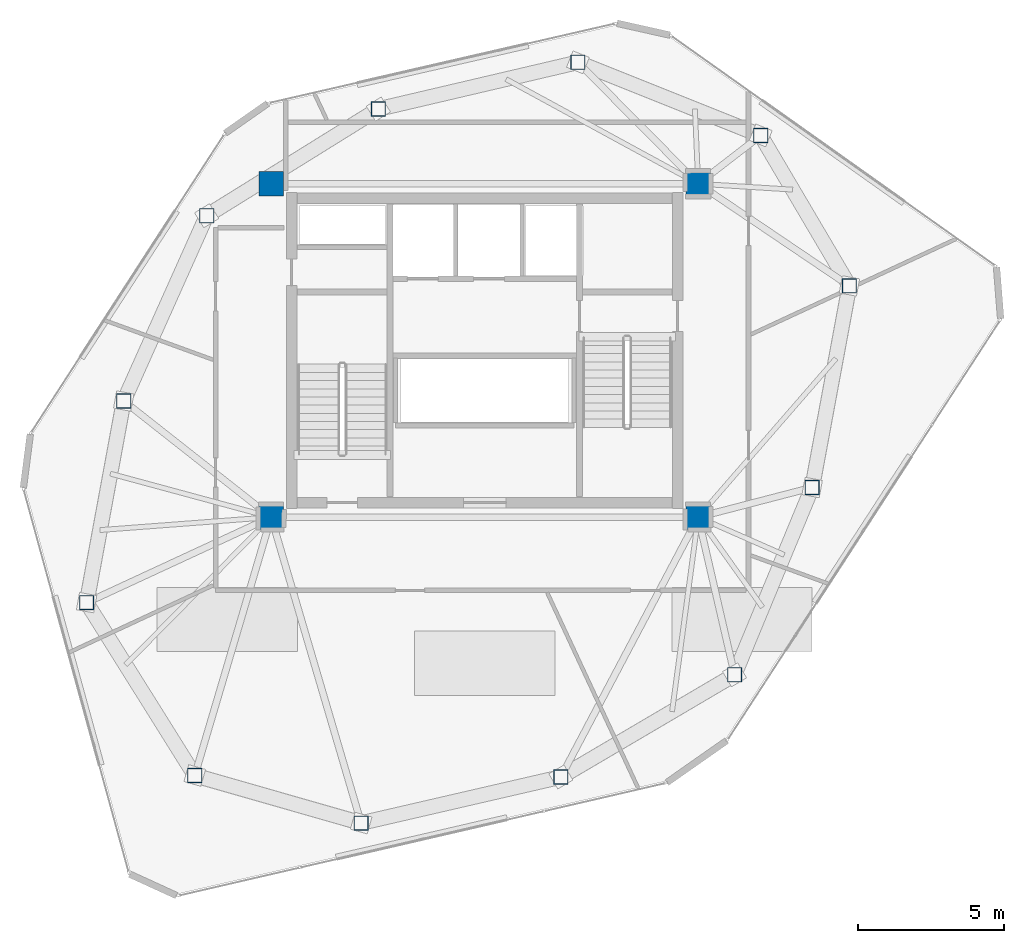
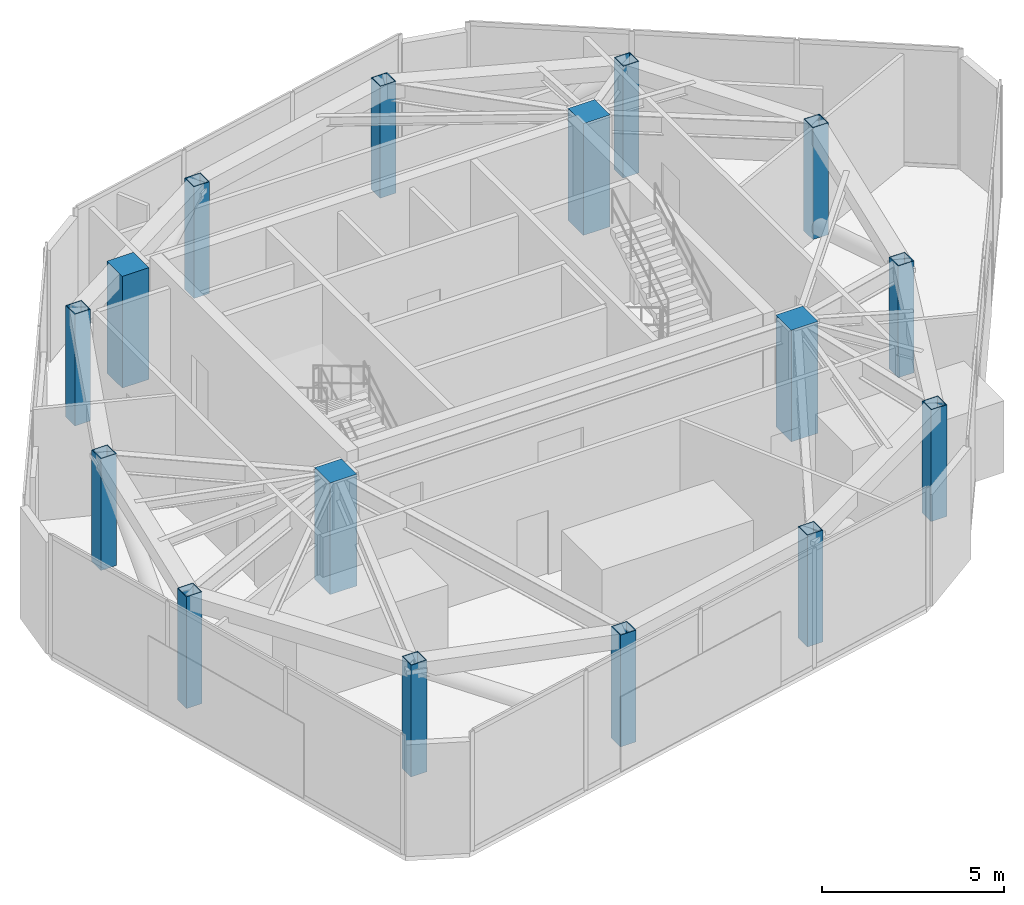
# One storey, part 1 of 21: 16 columns.
"""IFC4 building model written with IfcOpenShell, lengths in metres."""

from ifc_helpers import new_model, si_unit, direction, frame, origin, origin_2d, place, context, subcontext, project, spatial, rectangle, hollow_rectangle, extrude, material, material_profile, profile_set, type_object, element, save


model = new_model("IFC4")

# Units and contexts
model_context = context("Model", 3, precision=1e-05, world=origin(), true_north=direction((0.0, 1.0)))
body_context = subcontext(model_context, "Body", "Model", "MODEL_VIEW")
ifc_project = project(units=[si_unit("LENGTHUNIT", "METRE"), si_unit("AREAUNIT", "SQUARE_METRE"), si_unit("VOLUMEUNIT", "CUBIC_METRE"), si_unit("PLANEANGLEUNIT", "RADIAN"), si_unit("MASSUNIT", "GRAM", prefix="KILO")], contexts=[model_context])

# Site, building, storey
site_placement = place(None, origin())
site = spatial("IfcSite", under=ifc_project, at=site_placement, CompositionType="ELEMENT")
building_placement = place(site_placement, origin())
building = spatial("IfcBuilding", under=site, at=building_placement, Name="Talar Marvaseh", CompositionType="ELEMENT")
storey_placement = place(building_placement, frame((0.0, 0.0, 308.0)))
storey = spatial("IfcBuildingStorey", under=building, at=storey_placement, Name="L82", CompositionType="ELEMENT", Elevation=308.0)

# Columns
ifc_material_1 = material(Name="Steel S460", Category="steel")
ifc_material_profile_1 = material_profile(ifc_material_1, hollow_rectangle(XDim=0.5, YDim=0.5, WallThickness=0.02490234375, at=origin_2d()), Name="BOX500x500x25")
ifc_profile_set_1 = profile_set([ifc_material_profile_1], Name="Steel S460")
column_type_1 = type_object("IfcColumnType", Name="Crown Frame Structural Column BOX500x500x25", PredefinedType="COLUMN", material=ifc_profile_set_1)
for number, where, z_axis, x_axis, name in (
    (1, (12.388916015625, 22.576904296875, 0.0), (0.0, 0.0, 1.0), (1.0, 0.0, 0.0), "L82 Crown Frame Structural Column BOX500x500x25"),
    (2, (13.657958984375, 29.469970703125, 0.0), (0.0, 0.0, 1.0), (1.0, 0.0, 0.0), "L82 Crown Frame Structural Column BOX500x500x25"),
    (3, (16.493896484375, 35.806884765625, 0.0), (0.0, 0.0, 1.0), (1.0, 0.0, 0.0), "L82 Crown Frame Structural Column BOX500x500x25"),
    (4, (22.364990234375, 39.4541015625, 0.0), (0.0, 0.0, 1.0), (1.0, 0.0, 0.0), "L82 Crown Frame Structural Column BOX500x500x25"),
    (5, (29.18798828125, 41.052001953125, 0.0), (0.0, 0.0, 1.0), (1.0, 0.0, 0.0), "L82 Crown Frame Structural Column BOX500x500x25"),
    (6, (35.43798828125, 38.551025390625, 0.0), (0.0, 0.0, 1.0), (1.0, 0.0, 0.0), "L82 Crown Frame Structural Column BOX500x500x25"),
    (7, (38.470947265625, 33.406005859375, 0.0), (0.0, 0.0, 1.0), (1.0, 0.0, 0.0), "L82 Crown Frame Structural Column BOX500x500x25"),
    (8, (37.197021484375, 26.513916015625, 0.0), (0.0, 0.0, 1.0), (1.0, 0.0, 0.0), "L82 Crown Frame Structural Column BOX500x500x25"),
    (9, (34.5439453125, 20.111083984375, 0.0), (0.0, 0.0, 1.0), (1.0, 0.0, 0.0), "L82 Crown Frame Structural Column BOX500x500x25"),
    (10, (28.60498046875, 16.616943359375, 0.0), (0.0, 0.0, 1.0), (1.0, 0.0, 0.0), "L82 Crown Frame Structural Column BOX500x500x25"),
    (11, (21.77587890625, 15.0400390625, 0.0), (0.0, 0.0, 1.0), (1.0, 0.0, 0.0), "L82 Crown Frame Structural Column BOX500x500x25"),
    (12, (16.0869140625, 16.66796875, 0.0), (0.0, 0.0, 1.0), (1.0, 0.0, 0.0), "L82 Crown Frame Structural Column BOX500x500x25"),
):
    element("IfcColumn", number, at=place(storey_placement, frame(where, z_axis=z_axis, x_axis=x_axis)), inside=storey, type_object=column_type_1, Name=name, PredefinedType="COLUMN", context=body_context, shape_type="SweptSolid", body=[
        extrude(hollow_rectangle(XDim=0.5, YDim=0.5, WallThickness=0.02490234375, at=origin_2d()), origin(), (0.0, 0.0, 1.0), 3.739990234375),
    ])
ifc_material_2 = material(Name="Concrete C50/60", Category="concrete")
ifc_material_profile_2 = material_profile(ifc_material_2, rectangle(XDim=0.85009765625, YDim=0.85009765625, at=origin_2d()), Name="RC850x850")
ifc_profile_set_2 = profile_set([ifc_material_profile_2], Name="Concrete C50/60")
column_type_2 = type_object("IfcColumnType", Name="Zone 4 Tube Column RC850x850", PredefinedType="COLUMN", material=ifc_profile_set_2)
for number, where, z_axis, x_axis, name in (
    (13, (18.699951171875, 25.5, 0.0), (0.0, 0.0, 1.0), (1.0, 0.0, 0.0), "L82 Zone 4 Tube Column RC850x850"),
    (14, (33.300048828125, 25.5, 0.0), (0.0, 0.0, 1.0), (1.0, 0.0, 0.0), "L82 Zone 4 Tube Column RC850x850"),
    (15, (33.300048828125, 36.89990234375, 0.0), (0.0, 0.0, 1.0), (1.0, 0.0, 0.0), "L82 Zone 4 Tube Column RC850x850"),
    (16, (18.699951171875, 36.89990234375, 0.0), (0.0, 0.0, 1.0), (1.0, 0.0, 0.0), "L82 Zone 4 Tube Column RC850x850"),
):
    element("IfcColumn", number, at=place(storey_placement, frame(where, z_axis=z_axis, x_axis=x_axis)), inside=storey, type_object=column_type_2, Name=name, PredefinedType="COLUMN", context=body_context, shape_type="SweptSolid", body=[
        extrude(rectangle(XDim=0.85009765625, YDim=0.85009765625, at=origin_2d()), origin(), (0.0, 0.0, 1.0), 3.739990234375),
    ])

save(model, "model.ifc")
